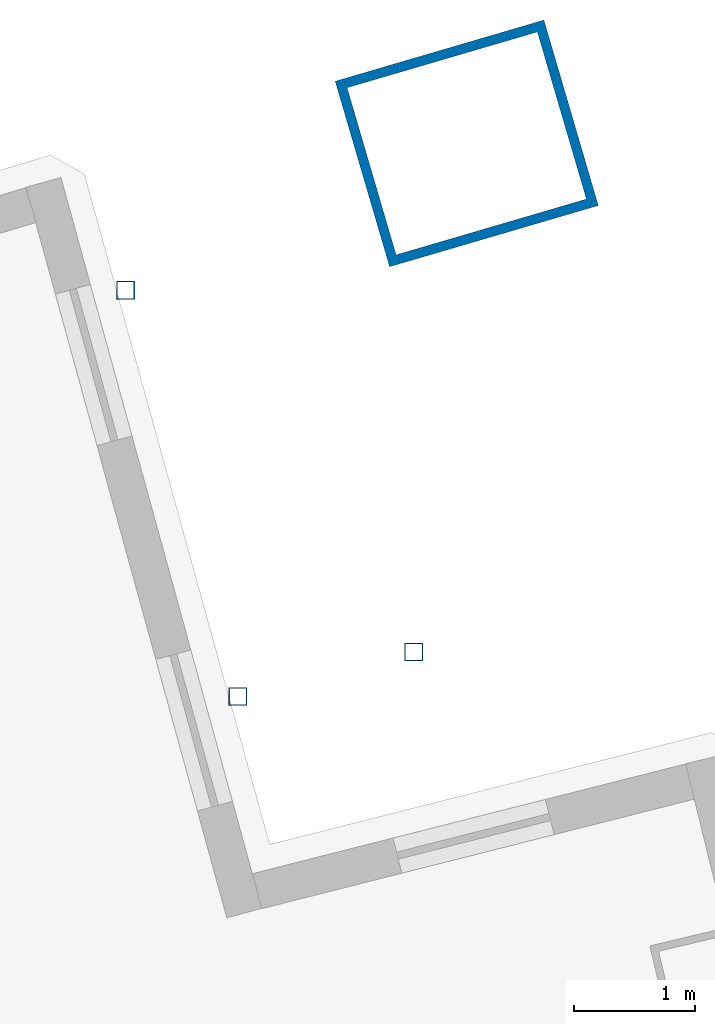
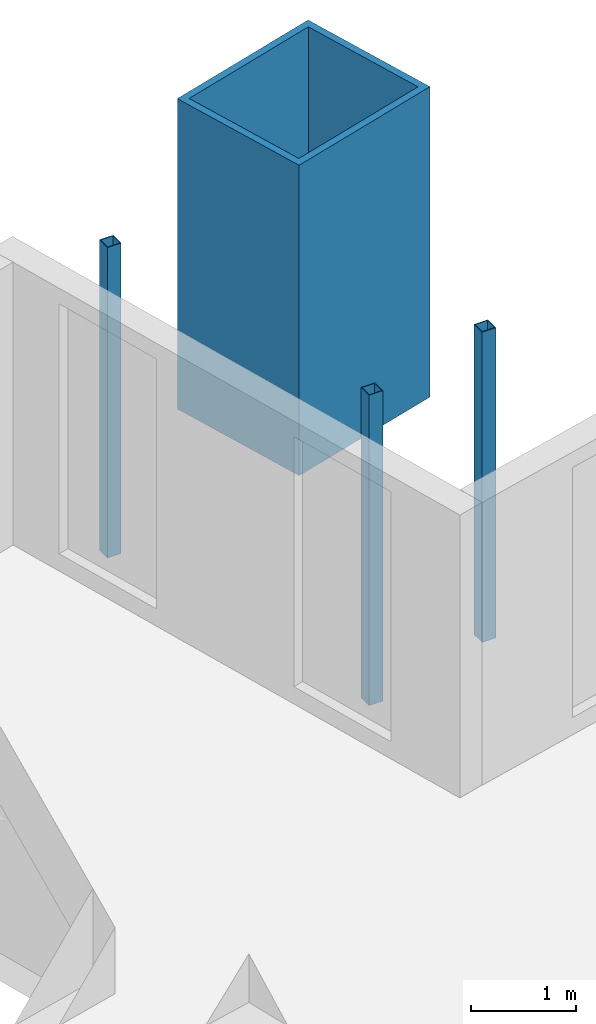
# One storey, part 9 of 21: 4 columns.
"""IFC4 building model written with IfcOpenShell, lengths in metres."""

from ifc_helpers import new_model, si_unit, direction, frame, origin, origin_2d, place, context, subcontext, project, spatial, hollow_rectangle, extrude, material, material_profile, profile_set, type_object, element, save


model = new_model("IFC4")

# Units and contexts
model_context = context("Model", 3, precision=1e-05, world=origin(), true_north=direction((0.0, 1.0)))
body_context = subcontext(model_context, "Body", "Model", "MODEL_VIEW")
ifc_project = project(units=[si_unit("LENGTHUNIT", "METRE"), si_unit("AREAUNIT", "SQUARE_METRE"), si_unit("VOLUMEUNIT", "CUBIC_METRE"), si_unit("PLANEANGLEUNIT", "RADIAN"), si_unit("MASSUNIT", "GRAM", prefix="KILO")], contexts=[model_context])

# Site, building, storey
site_placement = place(None, origin())
site = spatial("IfcSite", under=ifc_project, at=site_placement, CompositionType="ELEMENT")
building_placement = place(site_placement, origin())
building = spatial("IfcBuilding", under=site, at=building_placement, Name="Alderwake Tower", CompositionType="ELEMENT")
storey_placement = place(building_placement, frame((0.0, 0.0, 146.0)))
storey = spatial("IfcBuildingStorey", under=building, at=storey_placement, Name="L35", CompositionType="ELEMENT", Elevation=146.0)

# Columns
ifc_material_1 = material(Name="Steel ASTM A500 Grade C", Category="steel")
ifc_material_profile_1 = material_profile(ifc_material_1, hollow_rectangle(XDim=0.15234375, YDim=0.15234375, WallThickness=0.0087890625, at=origin_2d()), Name="HSS6X6X3/8")
ifc_profile_set_1 = profile_set([ifc_material_profile_1], Name="Steel ASTM A500 Grade C")
column_type_1 = type_object("IfcColumnType", Name="Light post HSS6X6X3/8", PredefinedType="COLUMN", material=ifc_profile_set_1)
for number, where, z_axis, x_axis, name in (
    (1, (53.807861328125, 96.159423828125, 0.0), (0.0, 0.0, 1.0), (1.0, 0.0, 0.0), "Terrace post FN1"),
    (2, (51.42431640625, 99.152099609375, 0.0), (0.0, 0.0, 1.0), (1.0, 0.0, 0.0), "Terrace post FN2"),
    (3, (52.353759765625, 95.791259765625, 0.0), (0.0, 0.0, 1.0), (1.0, 0.0, 0.0), "Terrace post FN3"),
):
    element("IfcColumn", number, at=place(storey_placement, frame(where, z_axis=z_axis, x_axis=x_axis)), inside=storey, type_object=column_type_1, Name=name, PredefinedType="COLUMN", context=body_context, shape_type="SweptSolid", body=[
        extrude(hollow_rectangle(XDim=0.15234375, YDim=0.15234375, WallThickness=0.0087890625, at=origin_2d()), origin(), (0.0, 0.0, 1.0), 3.60009765625),
    ])
ifc_material_2 = material(Name="Steel ASTM A572 Grade 50 concrete filled C70/85", Category="concrete")
ifc_material_profile_2 = material_profile(ifc_material_2, hollow_rectangle(XDim=1.60009765625, YDim=1.800048828125, WallThickness=0.080078125, at=origin_2d()), Name="BOX 1800X1600X80")
ifc_profile_set_2 = profile_set([ifc_material_profile_2], Name="Steel ASTM A572 Grade 50 concrete filled C70/85")
column_type_2 = type_object("IfcColumnType", Name="Mega column Z3", PredefinedType="COLUMN", material=ifc_profile_set_2)
column_placement = place(storey_placement, frame((54.246826171875, 100.3671875, 0.0), z_axis=(0.0, 0.0, 1.0), x_axis=(-0.281395329631, 0.959591928093, 0.0)))
element("IfcColumn", 4, at=column_placement, inside=storey, type_object=column_type_2, Name="Column R12-C5", PredefinedType="COLUMN", context=body_context, shape_type="SweptSolid", body=[
    extrude(hollow_rectangle(XDim=1.60009765625, YDim=1.800048828125, WallThickness=0.080078125, at=origin_2d()), origin(), (0.0, 0.0, 1.0), 3.60009765625),
])

save(model, "model.ifc")
